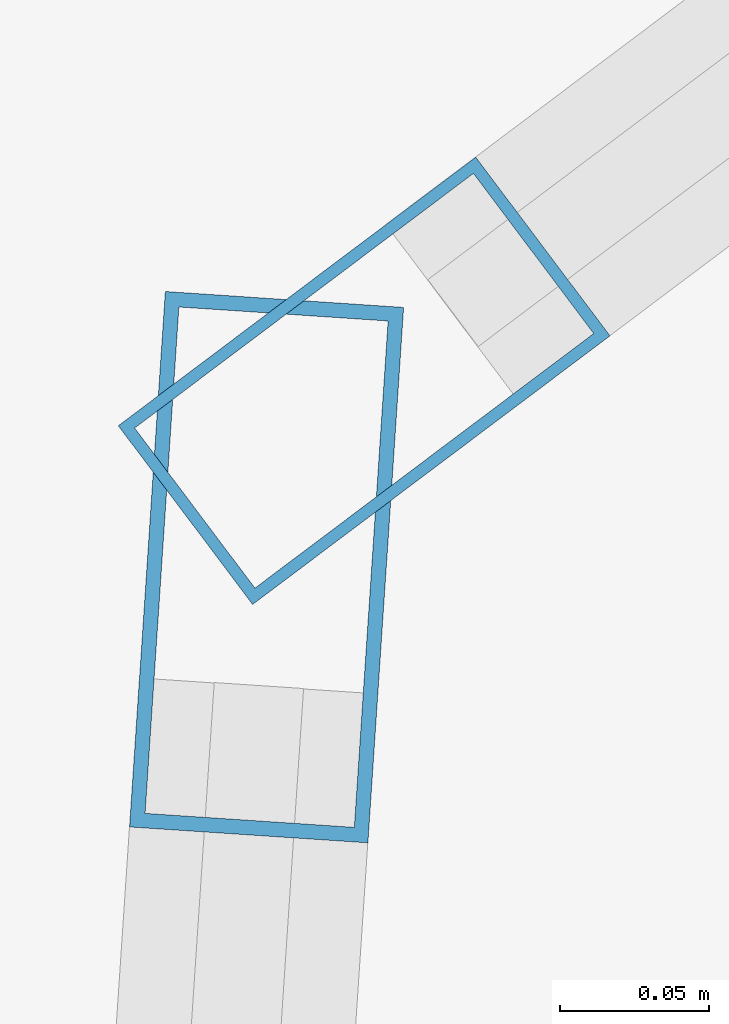
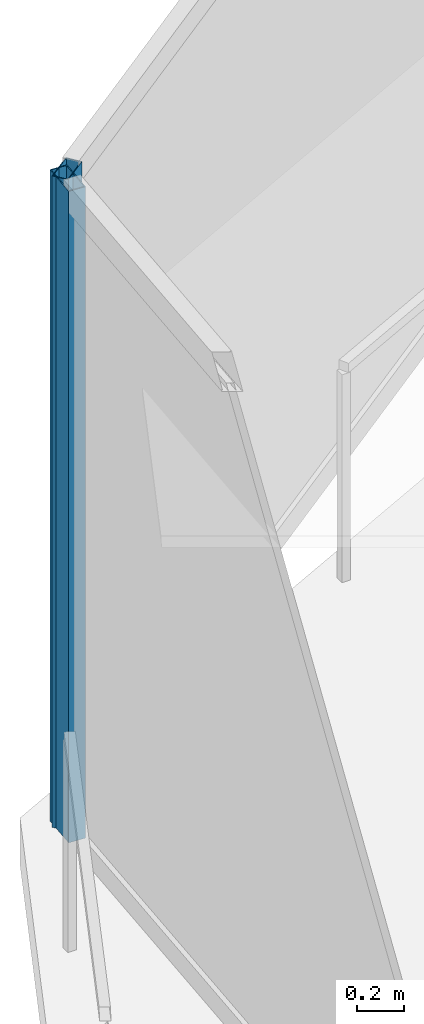
# One storey, part 16 of 30: 2 members, 2 elements without a shape of their own.
"""IFC4 building model written with IfcOpenShell, lengths in metres."""

from ifc_helpers import new_model, si_unit, direction, frame, origin, origin_2d, place, context, subcontext, project, spatial, hollow_rectangle, extrude, material, layer, layer_set, material_profile, profile_set, type_object, element, aggregate, save


model = new_model("IFC4")

# Units and contexts
model_context = context("Model", 3, precision=1e-05, world=origin(), true_north=direction((0.0, 1.0)))
body_context = subcontext(model_context, "Body", "Model", "MODEL_VIEW")
ifc_project = project(units=[si_unit("LENGTHUNIT", "METRE"), si_unit("AREAUNIT", "SQUARE_METRE"), si_unit("VOLUMEUNIT", "CUBIC_METRE"), si_unit("PLANEANGLEUNIT", "RADIAN"), si_unit("MASSUNIT", "GRAM", prefix="KILO")], contexts=[model_context])

# Site, building, storey
site_placement = place(None, origin())
site = spatial("IfcSite", under=ifc_project, at=site_placement, CompositionType="ELEMENT")
building_placement = place(site_placement, origin())
building = spatial("IfcBuilding", under=site, at=building_placement, Name="Kazevale Care Tower and Concert Hall", CompositionType="ELEMENT")
storey_placement = place(building_placement, frame((0.0, 0.0, 127.800048828125)))
storey = spatial("IfcBuildingStorey", under=building, at=storey_placement, Name="L33", CompositionType="ELEMENT", Elevation=127.800048828125)

# Curtain wall, member
ifc_material_1 = material(Name="Aluminium 6063-T6 and Low-E Glass", Category="aluminium")
ifc_layer_1 = layer(ifc_material_1, 0.179931640625)
ifc_layer_set_1 = layer_set([ifc_layer_1], Name="Aluminium 6063-T6 and Low-E Glass")
curtain_wall_type_1 = type_object("IfcCurtainWallType", Name="Convex Recessed Sunroom Curtain Wall CW-3", PredefinedType="NOTDEFINED", material=ifc_layer_set_1)
curtain_wall_1_placement = place(storey_placement, origin())
curtain_wall_1 = element("IfcCurtainWall", 1, at=curtain_wall_1_placement, inside=storey, type_object=curtain_wall_type_1, Name="cw:L33:f14", PredefinedType="NOTDEFINED")
ifc_material_2 = material(Name="Aluminium 6063-T6", Category="aluminium")
ifc_material_profile_1 = material_profile(ifc_material_2, hollow_rectangle(XDim=0.074951171875, YDim=0.14990234375, WallThickness=0.00390625, at=origin_2d()), Name="ALU75x150x4")
ifc_profile_set_1 = profile_set([ifc_material_profile_1], Name="Aluminium 6063-T6")
member_type_1 = type_object("IfcMemberType", Name="CW-3 Mullion ALU75x150x4", PredefinedType="MULLION", material=ifc_profile_set_1)
member_1_placement = place(storey_placement, frame((16.55908203125, 49.66748046875, 0.0), z_axis=(0.0, 0.0, 1.0), x_axis=(-0.600797902474, 0.799400950952, 0.0)))
member_1 = element("IfcMember", 2, at=member_1_placement, type_object=member_type_1, Name="CW-3 mullion 1", PredefinedType="MULLION", context=body_context, shape_type="SweptSolid", body=[
    extrude(hollow_rectangle(XDim=0.074951171875, YDim=0.14990234375, WallThickness=0.00390625, at=origin_2d()), origin(), (0.0, 0.0, 1.0), 3.35986328125),
])
aggregate(curtain_wall_1, [member_1])

ifc_layer_2 = layer(ifc_material_1, 0.179931640625)
ifc_layer_set_2 = layer_set([ifc_layer_2], Name="Aluminium 6063-T6 and Low-E Glass")
curtain_wall_type_2 = type_object("IfcCurtainWallType", Name="Waist & Upper Residential Curtain Wall CW-4", PredefinedType="NOTDEFINED", material=ifc_layer_set_2)
curtain_wall_2_placement = place(storey_placement, origin())
curtain_wall_2 = element("IfcCurtainWall", 3, at=curtain_wall_2_placement, inside=storey, type_object=curtain_wall_type_2, Name="cw:L33:f13", PredefinedType="NOTDEFINED")
ifc_material_profile_2 = material_profile(ifc_material_2, hollow_rectangle(XDim=0.080078125, YDim=0.179931640625, WallThickness=0.0048828125, at=origin_2d()), Name="ALU80x180x5")
ifc_profile_set_2 = profile_set([ifc_material_profile_2], Name="Aluminium 6063-T6")
member_type_2 = type_object("IfcMemberType", Name="CW-4 Mullion ALU80x180x5", PredefinedType="MULLION", material=ifc_profile_set_2)
member_2_placement = place(storey_placement, frame((16.5263671875, 49.60498046875, 0.0), z_axis=(0.0, 0.0, 1.0), x_axis=(-0.997778418439, 0.06662002475, 0.0)))
member_2 = element("IfcMember", 4, at=member_2_placement, type_object=member_type_2, Name="CW-4 mullion 2", PredefinedType="MULLION", context=body_context, shape_type="SweptSolid", body=[
    extrude(hollow_rectangle(XDim=0.080078125, YDim=0.179931640625, WallThickness=0.0048828125, at=origin_2d()), origin(), (0.0, 0.0, 1.0), 3.35986328125),
])
aggregate(curtain_wall_2, [member_2])

save(model, "model.ifc")
